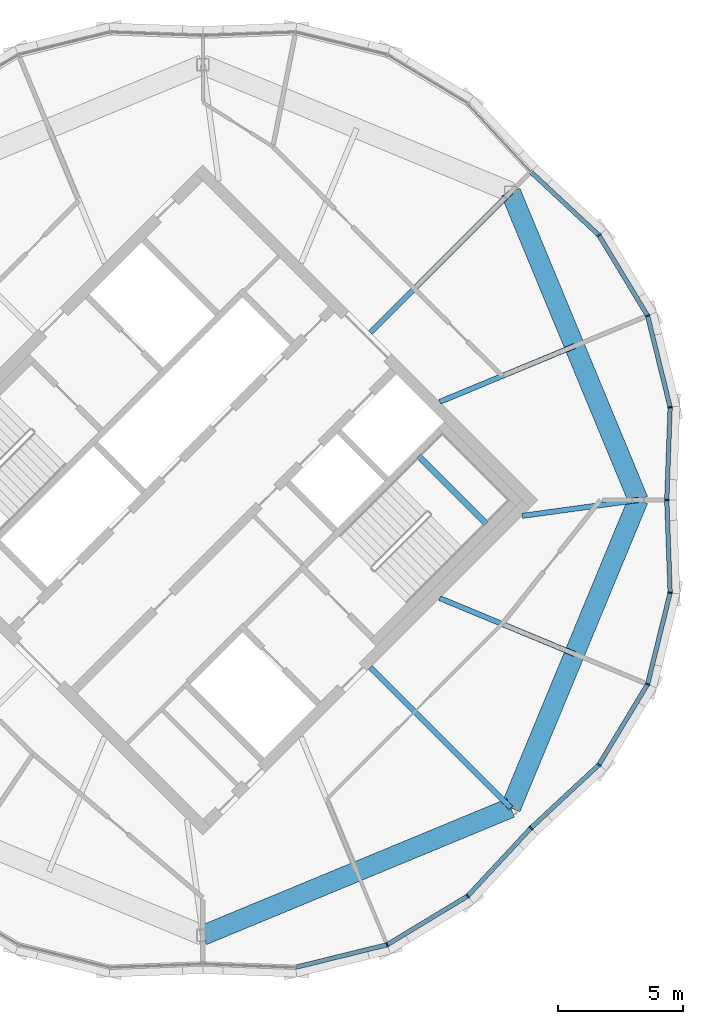
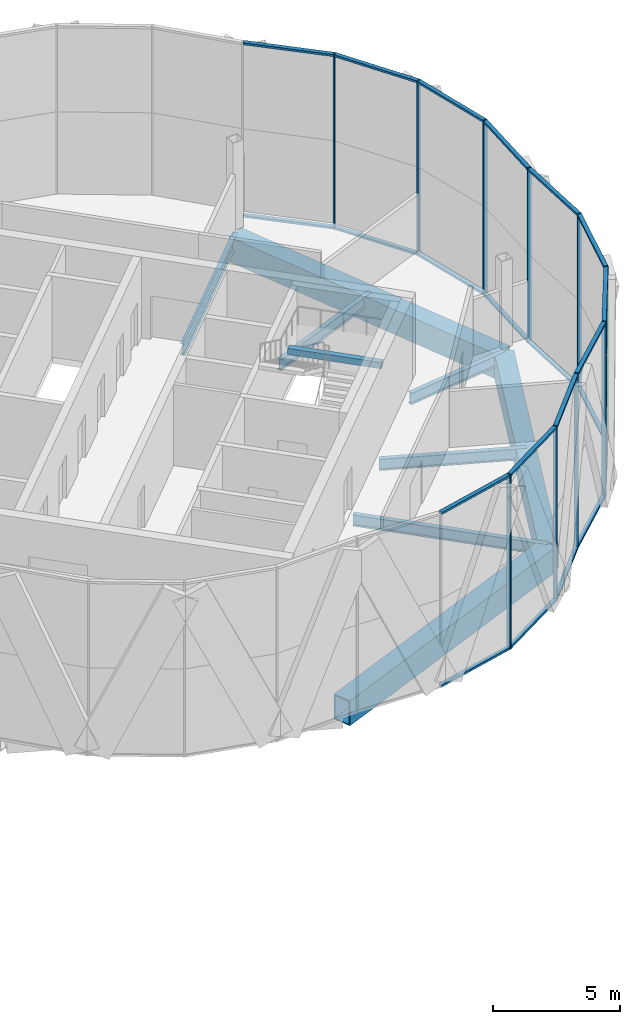
# One storey, part 11 of 24: 32 members, 9 beams, 3 elements without a shape of their own.
"""IFC4 building model written with IfcOpenShell, lengths in metres."""

from ifc_helpers import new_model, si_unit, direction, frame, origin, origin_2d, place, context, subcontext, project, spatial, rectangle, hollow_rectangle, i_section, extrude, material, material_profile, profile_set, type_object, element, aggregate, save


model = new_model("IFC4")

# Units and contexts
model_context = context("Model", 3, precision=1e-05, world=origin(), true_north=direction((0.0, 1.0)))
body_context = subcontext(model_context, "Body", "Model", "MODEL_VIEW")
ifc_project = project(units=[si_unit("LENGTHUNIT", "METRE"), si_unit("AREAUNIT", "SQUARE_METRE"), si_unit("VOLUMEUNIT", "CUBIC_METRE"), si_unit("PLANEANGLEUNIT", "RADIAN"), si_unit("MASSUNIT", "GRAM", prefix="KILO")], contexts=[model_context])

# Site, building, storey
site_placement = place(None, origin())
site = spatial("IfcSite", under=ifc_project, at=site_placement, CompositionType="ELEMENT")
building_placement = place(site_placement, origin())
building = spatial("IfcBuilding", under=site, at=building_placement, Name="Ogive Gate Towers", CompositionType="ELEMENT")
storey_placement = place(building_placement, frame((0.0, 0.0, 277.199951171875)))
storey = spatial("IfcBuildingStorey", under=building, at=storey_placement, Name="L65", CompositionType="ELEMENT", Elevation=277.199951171875)

# Beams
ifc_material_1 = material(Name="Steel SM460", Category="steel")
ifc_material_profile_1 = material_profile(ifc_material_1, hollow_rectangle(XDim=0.800048828125, YDim=1.199951171875, WallThickness=0.050048828125, at=origin_2d()), Name="BX 1200x800x50")
ifc_profile_set_1 = profile_set([ifc_material_profile_1], Name="Steel SM460")
beam_type_1 = type_object("IfcBeamType", Name="Edge girder BX 1200x800x50", PredefinedType="BEAM", material=ifc_profile_set_1)
for number, where, z_axis, x_axis, name in (
    (1, (36.0, -17.455078125, -0.89990234375), (0.923876732551, 0.382690191996, 0.0), (-0.382690191996, 0.923876732551, 0.0), "T2/L65/SBM018"),
    (2, (48.342529296875, -12.342529296875, -0.89990234375), (0.382690191996, 0.923876732551, 0.0), (-0.923876732551, 0.382690191996, 0.0), "T2/L65/SBM019"),
    (3, (53.455078125, 0.0, -0.89990234375), (-0.382690191996, 0.923876732551, 0.0), (-0.923876732551, -0.382690191996, 0.0), "T2/L65/SBM020"),
):
    element("IfcBeam", number, at=place(storey_placement, frame(where, z_axis=z_axis, x_axis=x_axis)), inside=storey, type_object=beam_type_1, Name=name, PredefinedType="BEAM", context=body_context, shape_type="SweptSolid", body=[
        extrude(hollow_rectangle(XDim=0.800048828125, YDim=1.199951171875, WallThickness=0.050048828125, at=origin_2d()), origin(), (0.0, 0.0, 1.0), 13.359619140625),
    ])
ifc_material_2 = material(Name="Concrete C40/50", Category="concrete")
ifc_material_profile_2 = material_profile(ifc_material_2, rectangle(XDim=0.25, YDim=0.300048828125, at=origin_2d()), Name="RC 250x300")
ifc_profile_set_2 = profile_set([ifc_material_profile_2], Name="Concrete C40/50")
beam_type_2 = type_object("IfcBeamType", Name="Landing bearer RC 250x300", PredefinedType="BEAM", material=ifc_profile_set_2)
beam_1_placement = place(storey_placement, frame((47.35888671875, -0.94482421875, 1.75), z_axis=(-0.707138693938, 0.707074866995, 0.0), x_axis=(-0.707074866995, -0.707138693938, 0.0)))
element("IfcBeam", 4, at=beam_1_placement, inside=storey, type_object=beam_type_2, Name="T2 L65 stair 2 landing bearer 1", PredefinedType="BEAM", context=body_context, shape_type="SweptSolid", body=[
    extrude(rectangle(XDim=0.25, YDim=0.300048828125, at=origin_2d()), origin(), (0.0, 0.0, 1.0), 3.824951171875),
])
ifc_material_3 = material(Name="Steel SM355", Category="steel")
ifc_material_profile_3 = material_profile(ifc_material_3, i_section(OverallWidth=0.2099609375, OverallDepth=0.550048828125, WebThickness=0.010986328125, FlangeThickness=0.01708984375, FilletRadius=0.02392578125, at=origin_2d()), Name="IPE 550")
ifc_profile_set_3 = profile_set([ifc_material_profile_3], Name="Steel SM355")
beam_type_3 = type_object("IfcBeamType", Name="Radial floor beam IPE 550", PredefinedType="BEAM", material=ifc_profile_set_3)
beam_2_placement = place(storey_placement, frame((42.717529296875, -6.717529296875, -0.574951171875), z_axis=(0.707106781187, -0.707106781187, 0.0), x_axis=(0.707106781187, 0.707106781187, 0.0)))
element("IfcBeam", 5, at=beam_2_placement, inside=storey, type_object=beam_type_3, Name="T2/L65/SBM005", PredefinedType="BEAM", context=body_context, shape_type="SweptSolid", body=[
    extrude(i_section(OverallWidth=0.2099609375, OverallDepth=0.550048828125, WebThickness=0.010986328125, FlangeThickness=0.01708984375, FilletRadius=0.02392578125, at=origin_2d()), origin(), (0.0, 0.0, 1.0), 7.954833984375),
])
beam_3_placement = place(storey_placement, frame((45.5, -3.93505859375, -0.574951171875), z_axis=(0.923872213225, -0.382701102209, 0.0), x_axis=(0.382701102209, 0.923872213225, 0.0)))
element("IfcBeam", 6, at=beam_3_placement, inside=storey, type_object=beam_type_3, Name="T2/L65/SBM006", PredefinedType="BEAM", context=body_context, shape_type="SweptSolid", body=[
    extrude(i_section(OverallWidth=0.2099609375, OverallDepth=0.550048828125, WebThickness=0.010986328125, FlangeThickness=0.01708984375, FilletRadius=0.02392578125, at=origin_2d()), origin(), (0.0, 0.0, 1.0), 5.843505859375),
])
beam_4_placement = place(storey_placement, frame((48.798583984375, -0.636474609375, -0.574951171875), z_axis=(0.99078744401, 0.135426145155, 0.0), x_axis=(-0.135426145155, 0.99078744401, 0.0)))
element("IfcBeam", 7, at=beam_4_placement, inside=storey, type_object=beam_type_3, Name="T2/L65/SBM007", PredefinedType="BEAM", context=body_context, shape_type="SweptSolid", body=[
    extrude(i_section(OverallWidth=0.2099609375, OverallDepth=0.550048828125, WebThickness=0.010986328125, FlangeThickness=0.01708984375, FilletRadius=0.02392578125, at=origin_2d()), origin(), (0.0, 0.0, 1.0), 4.69970703125),
])
beam_5_placement = place(storey_placement, frame((45.5, 3.93505859375, -0.574951171875), z_axis=(0.923872213225, 0.382701102209, 0.0), x_axis=(-0.382701102209, 0.923872213225, 0.0)))
element("IfcBeam", 8, at=beam_5_placement, inside=storey, type_object=beam_type_3, Name="T2/L65/SBM008", PredefinedType="BEAM", context=body_context, shape_type="SweptSolid", body=[
    extrude(i_section(OverallWidth=0.2099609375, OverallDepth=0.550048828125, WebThickness=0.010986328125, FlangeThickness=0.01708984375, FilletRadius=0.02392578125, at=origin_2d()), origin(), (0.0, 0.0, 1.0), 5.843505859375),
])
beam_6_placement = place(storey_placement, frame((42.717529296875, 6.717529296875, -0.574951171875), z_axis=(0.707106781187, 0.707106781187, 0.0), x_axis=(-0.707106781187, 0.707106781187, 0.0)))
element("IfcBeam", 9, at=beam_6_placement, inside=storey, type_object=beam_type_3, Name="T2/L65/SBM009", PredefinedType="BEAM", context=body_context, shape_type="SweptSolid", body=[
    extrude(i_section(OverallWidth=0.2099609375, OverallDepth=0.550048828125, WebThickness=0.010986328125, FlangeThickness=0.01708984375, FilletRadius=0.02392578125, at=origin_2d()), origin(), (0.0, 0.0, 1.0), 7.954833984375),
])

# Curtain wall, members
ifc_material_4 = material(Name="Pale metal aluminium", Category="aluminium")
curtain_wall_type = type_object("IfcCurtainWallType", Name="Tower unitised wall, high zone", PredefinedType="NOTDEFINED", material=ifc_material_4)
curtain_wall_1_placement = place(storey_placement, origin())
curtain_wall_1 = element("IfcCurtainWall", 10, at=curtain_wall_1_placement, inside=storey, type_object=curtain_wall_type, Name="CW2 T2 ECW01", PredefinedType="NOTDEFINED")
ifc_material_profile_4 = material_profile(ifc_material_4, rectangle(XDim=0.179931640625, YDim=0.06005859375, at=origin_2d()), Name="60 x 180 aluminium box")
ifc_profile_set_4 = profile_set([ifc_material_profile_4], Name="Pale metal aluminium")
member_type_1 = type_object("IfcMemberType", Name="Tower unitised wall, high zone mullion 60 x 180", PredefinedType="MULLION", material=ifc_profile_set_4)
member_1_placement = place(storey_placement, frame((54.60009765625, 0.00048828125, -0.300048828125), z_axis=(0.0, 0.0, 1.0), x_axis=(0.999341123963, -0.036294875066, 0.0)))
member_1 = element("IfcMember", 11, at=member_1_placement, type_object=member_type_1, Name="CW2 mullion", PredefinedType="MULLION", context=body_context, shape_type="SweptSolid", body=[
    extrude(rectangle(XDim=0.179931640625, YDim=0.06005859375, at=origin_2d()), origin(), (0.0, 0.0, 1.0), 8.400146484375),
])
member_2_placement = place(storey_placement, frame((54.7353515625, 3.718017578125, -0.300048828125), z_axis=(0.0, 0.0, 1.0), x_axis=(0.99474400054, 0.102393229213, 0.0)))
member_2 = element("IfcMember", 12, at=member_2_placement, type_object=member_type_1, Name="CW2 mullion", PredefinedType="MULLION", context=body_context, shape_type="SweptSolid", body=[
    extrude(rectangle(XDim=0.179931640625, YDim=0.06005859375, at=origin_2d()), origin(), (0.0, 0.0, 1.0), 8.400146484375),
])
member_3_placement = place(storey_placement, frame((53.83203125, 7.38623046875, -0.300048828125), z_axis=(0.0, 0.0, 1.0), x_axis=(0.923879532511, 0.382683432365, 0.0)))
member_3 = element("IfcMember", 13, at=member_3_placement, type_object=member_type_1, Name="CW2 mullion", PredefinedType="MULLION", context=body_context, shape_type="SweptSolid", body=[
    extrude(rectangle(XDim=0.179931640625, YDim=0.06005859375, at=origin_2d()), origin(), (0.0, 0.0, 1.0), 8.400146484375),
])
member_4_placement = place(storey_placement, frame((51.876708984375, 10.618896484375, -0.300048828125), z_axis=(0.0, 0.0, 1.0), x_axis=(0.775782162127, 0.631000821652, 0.0)))
member_4 = element("IfcMember", 14, at=member_4_placement, type_object=member_type_1, Name="CW2 mullion", PredefinedType="MULLION", context=body_context, shape_type="SweptSolid", body=[
    extrude(rectangle(XDim=0.179931640625, YDim=0.06005859375, at=origin_2d()), origin(), (0.0, 0.0, 1.0), 8.400146484375),
])

curtain_wall_2_placement = place(storey_placement, origin())
curtain_wall_2 = element("IfcCurtainWall", 15, at=curtain_wall_2_placement, inside=storey, type_object=curtain_wall_type, Name="CW2 T2 ECW07", PredefinedType="NOTDEFINED")
member_5_placement = place(storey_placement, frame((43.38623046875, -17.83203125, -0.300048828125), z_axis=(0.0, 0.0, 1.0), x_axis=(0.382683432365, -0.923879532511, 0.0)))
member_5 = element("IfcMember", 16, at=member_5_placement, type_object=member_type_1, Name="CW2 mullion", PredefinedType="MULLION", context=body_context, shape_type="SweptSolid", body=[
    extrude(rectangle(XDim=0.179931640625, YDim=0.06005859375, at=origin_2d()), origin(), (0.0, 0.0, 1.0), 8.400146484375),
])
member_6_placement = place(storey_placement, frame((46.618896484375, -15.876708984375, -0.300048828125), z_axis=(0.0, 0.0, 1.0), x_axis=(0.631000821652, -0.775782162127, 0.0)))
member_6 = element("IfcMember", 17, at=member_6_placement, type_object=member_type_1, Name="CW2 mullion", PredefinedType="MULLION", context=body_context, shape_type="SweptSolid", body=[
    extrude(rectangle(XDim=0.179931640625, YDim=0.06005859375, at=origin_2d()), origin(), (0.0, 0.0, 1.0), 8.400146484375),
])
member_7_placement = place(storey_placement, frame((49.152099609375, -13.152587890625, -0.300048828125), z_axis=(0.0, 0.0, 1.0), x_axis=(0.732317122925, -0.680963751951, 0.0)))
member_7 = element("IfcMember", 18, at=member_7_placement, type_object=member_type_1, Name="CW2 mullion", PredefinedType="MULLION", context=body_context, shape_type="SweptSolid", body=[
    extrude(rectangle(XDim=0.179931640625, YDim=0.06005859375, at=origin_2d()), origin(), (0.0, 0.0, 1.0), 8.400146484375),
])

curtain_wall_3_placement = place(storey_placement, origin())
curtain_wall_3 = element("IfcCurtainWall", 19, at=curtain_wall_3_placement, inside=storey, type_object=curtain_wall_type, Name="CW2 T2 ECW08", PredefinedType="NOTDEFINED")
member_8_placement = place(storey_placement, frame((51.876708984375, -10.618896484375, -0.300048828125), z_axis=(0.0, 0.0, 1.0), x_axis=(0.775782162127, -0.631000821652, 0.0)))
member_8 = element("IfcMember", 20, at=member_8_placement, type_object=member_type_1, Name="CW2 mullion", PredefinedType="MULLION", context=body_context, shape_type="SweptSolid", body=[
    extrude(rectangle(XDim=0.179931640625, YDim=0.06005859375, at=origin_2d()), origin(), (0.0, 0.0, 1.0), 8.400146484375),
])
member_9_placement = place(storey_placement, frame((53.83203125, -7.38623046875, -0.300048828125), z_axis=(0.0, 0.0, 1.0), x_axis=(0.923879532511, -0.382683432365, 0.0)))
member_9 = element("IfcMember", 21, at=member_9_placement, type_object=member_type_1, Name="CW2 mullion", PredefinedType="MULLION", context=body_context, shape_type="SweptSolid", body=[
    extrude(rectangle(XDim=0.179931640625, YDim=0.06005859375, at=origin_2d()), origin(), (0.0, 0.0, 1.0), 8.400146484375),
])
member_10_placement = place(storey_placement, frame((54.7353515625, -3.718017578125, -0.300048828125), z_axis=(0.0, 0.0, 1.0), x_axis=(0.99474400054, -0.102393229213, 0.0)))
member_10 = element("IfcMember", 22, at=member_10_placement, type_object=member_type_1, Name="CW2 mullion", PredefinedType="MULLION", context=body_context, shape_type="SweptSolid", body=[
    extrude(rectangle(XDim=0.179931640625, YDim=0.06005859375, at=origin_2d()), origin(), (0.0, 0.0, 1.0), 8.400146484375),
])

# Member
ifc_material_profile_5 = material_profile(ifc_material_4, rectangle(XDim=0.179931640625, YDim=0.10009765625, at=origin_2d()), Name="100 x 180 aluminium box")
ifc_profile_set_5 = profile_set([ifc_material_profile_5], Name="Pale metal aluminium")
member_type_2 = type_object("IfcMemberType", Name="Tower unitised wall, high zone transom 100 x 180", PredefinedType="USERDEFINED", material=ifc_profile_set_5)
member_11_placement = place(storey_placement, frame((54.601318359375, 0.0302734375, 8.050048828125), z_axis=(0.036271819243, 0.999341961057, 0.0), x_axis=(-0.999341961057, 0.036271819243, 0.0)))
member_11 = element("IfcMember", 23, at=member_11_placement, type_object=member_type_2, Name="CW2 transom", ObjectType="TRANSOM", PredefinedType="USERDEFINED", context=body_context, shape_type="SweptSolid", body=[
    extrude(rectangle(XDim=0.179931640625, YDim=0.10009765625, at=origin_2d()), origin(), (0.0, 0.0, 1.0), 3.66162109375),
])

member_12_placement = place(storey_placement, frame((54.601318359375, 0.0302734375, -0.25), z_axis=(0.036271819243, 0.999341961057, 0.0), x_axis=(-0.999341961057, 0.036271819243, 0.0)))
member_12 = element("IfcMember", 24, at=member_12_placement, type_object=member_type_2, Name="CW2 transom", ObjectType="TRANSOM", PredefinedType="USERDEFINED", context=body_context, shape_type="SweptSolid", body=[
    extrude(rectangle(XDim=0.179931640625, YDim=0.10009765625, at=origin_2d()), origin(), (0.0, 0.0, 1.0), 3.66162109375),
])

member_13_placement = place(storey_placement, frame((54.728271484375, 3.74560546875, 8.050048828125), z_axis=(-0.239091379639, 0.97099707115, 0.0), x_axis=(-0.97099707115, -0.239091379639, 0.0)))
member_13 = element("IfcMember", 25, at=member_13_placement, type_object=member_type_2, Name="CW2 transom", ObjectType="TRANSOM", PredefinedType="USERDEFINED", context=body_context, shape_type="SweptSolid", body=[
    extrude(rectangle(XDim=0.179931640625, YDim=0.10009765625, at=origin_2d()), origin(), (0.0, 0.0, 1.0), 3.720947265625),
])

member_14_placement = place(storey_placement, frame((54.728271484375, 3.74560546875, -0.25), z_axis=(-0.239091379639, 0.97099707115, 0.0), x_axis=(-0.97099707115, -0.239091379639, 0.0)))
member_14 = element("IfcMember", 26, at=member_14_placement, type_object=member_type_2, Name="CW2 transom", ObjectType="TRANSOM", PredefinedType="USERDEFINED", context=body_context, shape_type="SweptSolid", body=[
    extrude(rectangle(XDim=0.179931640625, YDim=0.10009765625, at=origin_2d()), origin(), (0.0, 0.0, 1.0), 3.720947265625),
])

member_15_placement = place(storey_placement, frame((53.817138671875, 7.41064453125, 8.050048828125), z_axis=(-0.51753219803, 0.855663733018, 0.0), x_axis=(-0.855663733018, -0.51753219803, 0.0)))
member_15 = element("IfcMember", 27, at=member_15_placement, type_object=member_type_2, Name="CW2 transom", ObjectType="TRANSOM", PredefinedType="USERDEFINED", context=body_context, shape_type="SweptSolid", body=[
    extrude(rectangle(XDim=0.179931640625, YDim=0.10009765625, at=origin_2d()), origin(), (0.0, 0.0, 1.0), 3.720703125),
])

member_16_placement = place(storey_placement, frame((53.817138671875, 7.41064453125, -0.25), z_axis=(-0.51753219803, 0.855663733018, 0.0), x_axis=(-0.855663733018, -0.51753219803, 0.0)))
member_16 = element("IfcMember", 28, at=member_16_placement, type_object=member_type_2, Name="CW2 transom", ObjectType="TRANSOM", PredefinedType="USERDEFINED", context=body_context, shape_type="SweptSolid", body=[
    extrude(rectangle(XDim=0.179931640625, YDim=0.10009765625, at=origin_2d()), origin(), (0.0, 0.0, 1.0), 3.720703125),
])

member_17_placement = place(storey_placement, frame((51.855712890625, 10.63818359375, 8.050048828125), z_axis=(-0.732280303721, 0.681003345647, 0.0), x_axis=(-0.681003345647, -0.732280303721, 0.0)))
member_17 = element("IfcMember", 29, at=member_17_placement, type_object=member_type_2, Name="CW2 transom", ObjectType="TRANSOM", PredefinedType="USERDEFINED", context=body_context, shape_type="SweptSolid", body=[
    extrude(rectangle(XDim=0.179931640625, YDim=0.10009765625, at=origin_2d()), origin(), (0.0, 0.0, 1.0), 3.661376953125),
])

member_18_placement = place(storey_placement, frame((51.855712890625, 10.63818359375, -0.25), z_axis=(-0.732280303721, 0.681003345647, 0.0), x_axis=(-0.681003345647, -0.732280303721, 0.0)))
member_18 = element("IfcMember", 30, at=member_18_placement, type_object=member_type_2, Name="CW2 transom", ObjectType="TRANSOM", PredefinedType="USERDEFINED", context=body_context, shape_type="SweptSolid", body=[
    extrude(rectangle(XDim=0.179931640625, YDim=0.10009765625, at=origin_2d()), origin(), (0.0, 0.0, 1.0), 3.661376953125),
])

aggregate(curtain_wall_1, [member_1, member_2, member_11, member_12, member_3, member_13, member_14, member_4, member_15, member_16, member_17, member_18])

member_19_placement = place(storey_placement, frame((39.74560546875, -18.728271484375, 8.050048828125), z_axis=(0.97099707115, 0.239091379639, 0.0), x_axis=(-0.239091379639, 0.97099707115, 0.0)))
member_19 = element("IfcMember", 31, at=member_19_placement, type_object=member_type_2, Name="CW2 transom", ObjectType="TRANSOM", PredefinedType="USERDEFINED", context=body_context, shape_type="SweptSolid", body=[
    extrude(rectangle(XDim=0.179931640625, YDim=0.10009765625, at=origin_2d()), origin(), (0.0, 0.0, 1.0), 3.720947265625),
])

member_20_placement = place(storey_placement, frame((39.74560546875, -18.728271484375, -0.25), z_axis=(0.97099707115, 0.239091379639, 0.0), x_axis=(-0.239091379639, 0.97099707115, 0.0)))
member_20 = element("IfcMember", 32, at=member_20_placement, type_object=member_type_2, Name="CW2 transom", ObjectType="TRANSOM", PredefinedType="USERDEFINED", context=body_context, shape_type="SweptSolid", body=[
    extrude(rectangle(XDim=0.179931640625, YDim=0.10009765625, at=origin_2d()), origin(), (0.0, 0.0, 1.0), 3.720947265625),
])

member_21_placement = place(storey_placement, frame((43.41064453125, -17.817138671875, 8.050048828125), z_axis=(0.855663733018, 0.51753219803, 0.0), x_axis=(-0.51753219803, 0.855663733018, 0.0)))
member_21 = element("IfcMember", 33, at=member_21_placement, type_object=member_type_2, Name="CW2 transom", ObjectType="TRANSOM", PredefinedType="USERDEFINED", context=body_context, shape_type="SweptSolid", body=[
    extrude(rectangle(XDim=0.179931640625, YDim=0.10009765625, at=origin_2d()), origin(), (0.0, 0.0, 1.0), 3.720703125),
])

member_22_placement = place(storey_placement, frame((43.41064453125, -17.817138671875, -0.25), z_axis=(0.855663733018, 0.51753219803, 0.0), x_axis=(-0.51753219803, 0.855663733018, 0.0)))
member_22 = element("IfcMember", 34, at=member_22_placement, type_object=member_type_2, Name="CW2 transom", ObjectType="TRANSOM", PredefinedType="USERDEFINED", context=body_context, shape_type="SweptSolid", body=[
    extrude(rectangle(XDim=0.179931640625, YDim=0.10009765625, at=origin_2d()), origin(), (0.0, 0.0, 1.0), 3.720703125),
])

member_23_placement = place(storey_placement, frame((46.63818359375, -15.855712890625, 8.050048828125), z_axis=(0.681003345647, 0.732280303721, 0.0), x_axis=(-0.732280303721, 0.681003345647, 0.0)))
member_23 = element("IfcMember", 35, at=member_23_placement, type_object=member_type_2, Name="CW2 transom", ObjectType="TRANSOM", PredefinedType="USERDEFINED", context=body_context, shape_type="SweptSolid", body=[
    extrude(rectangle(XDim=0.179931640625, YDim=0.10009765625, at=origin_2d()), origin(), (0.0, 0.0, 1.0), 3.661376953125),
])

member_24_placement = place(storey_placement, frame((46.63818359375, -15.855712890625, -0.25), z_axis=(0.681003345647, 0.732280303721, 0.0), x_axis=(-0.732280303721, 0.681003345647, 0.0)))
member_24 = element("IfcMember", 36, at=member_24_placement, type_object=member_type_2, Name="CW2 transom", ObjectType="TRANSOM", PredefinedType="USERDEFINED", context=body_context, shape_type="SweptSolid", body=[
    extrude(rectangle(XDim=0.179931640625, YDim=0.10009765625, at=origin_2d()), origin(), (0.0, 0.0, 1.0), 3.661376953125),
])

aggregate(curtain_wall_2, [member_5, member_19, member_20, member_6, member_21, member_22, member_7, member_23, member_24])

member_25_placement = place(storey_placement, frame((49.174560546875, -13.131591796875, 8.050048828125), z_axis=(0.732280303721, 0.681003345647, 0.0), x_axis=(-0.681003345647, 0.732280303721, 0.0)))
member_25 = element("IfcMember", 37, at=member_25_placement, type_object=member_type_2, Name="CW2 transom", ObjectType="TRANSOM", PredefinedType="USERDEFINED", context=body_context, shape_type="SweptSolid", body=[
    extrude(rectangle(XDim=0.179931640625, YDim=0.10009765625, at=origin_2d()), origin(), (0.0, 0.0, 1.0), 3.661376953125),
])

member_26_placement = place(storey_placement, frame((49.174560546875, -13.131591796875, -0.25), z_axis=(0.732280303721, 0.681003345647, 0.0), x_axis=(-0.681003345647, 0.732280303721, 0.0)))
member_26 = element("IfcMember", 38, at=member_26_placement, type_object=member_type_2, Name="CW2 transom", ObjectType="TRANSOM", PredefinedType="USERDEFINED", context=body_context, shape_type="SweptSolid", body=[
    extrude(rectangle(XDim=0.179931640625, YDim=0.10009765625, at=origin_2d()), origin(), (0.0, 0.0, 1.0), 3.661376953125),
])

member_27_placement = place(storey_placement, frame((51.8916015625, -10.59423828125, 8.050048828125), z_axis=(0.51753219803, 0.855663733018, 0.0), x_axis=(-0.855663733018, 0.51753219803, 0.0)))
member_27 = element("IfcMember", 39, at=member_27_placement, type_object=member_type_2, Name="CW2 transom", ObjectType="TRANSOM", PredefinedType="USERDEFINED", context=body_context, shape_type="SweptSolid", body=[
    extrude(rectangle(XDim=0.179931640625, YDim=0.10009765625, at=origin_2d()), origin(), (0.0, 0.0, 1.0), 3.720703125),
])

member_28_placement = place(storey_placement, frame((51.8916015625, -10.59423828125, -0.25), z_axis=(0.51753219803, 0.855663733018, 0.0), x_axis=(-0.855663733018, 0.51753219803, 0.0)))
member_28 = element("IfcMember", 40, at=member_28_placement, type_object=member_type_2, Name="CW2 transom", ObjectType="TRANSOM", PredefinedType="USERDEFINED", context=body_context, shape_type="SweptSolid", body=[
    extrude(rectangle(XDim=0.179931640625, YDim=0.10009765625, at=origin_2d()), origin(), (0.0, 0.0, 1.0), 3.720703125),
])

member_29_placement = place(storey_placement, frame((53.838623046875, -7.358642578125, 8.050048828125), z_axis=(0.239091379639, 0.97099707115, 0.0), x_axis=(-0.97099707115, 0.239091379639, 0.0)))
member_29 = element("IfcMember", 41, at=member_29_placement, type_object=member_type_2, Name="CW2 transom", ObjectType="TRANSOM", PredefinedType="USERDEFINED", context=body_context, shape_type="SweptSolid", body=[
    extrude(rectangle(XDim=0.179931640625, YDim=0.10009765625, at=origin_2d()), origin(), (0.0, 0.0, 1.0), 3.720947265625),
])

member_30_placement = place(storey_placement, frame((53.838623046875, -7.358642578125, -0.25), z_axis=(0.239091379639, 0.97099707115, 0.0), x_axis=(-0.97099707115, 0.239091379639, 0.0)))
member_30 = element("IfcMember", 42, at=member_30_placement, type_object=member_type_2, Name="CW2 transom", ObjectType="TRANSOM", PredefinedType="USERDEFINED", context=body_context, shape_type="SweptSolid", body=[
    extrude(rectangle(XDim=0.179931640625, YDim=0.10009765625, at=origin_2d()), origin(), (0.0, 0.0, 1.0), 3.720947265625),
])

member_31_placement = place(storey_placement, frame((54.734130859375, -3.689453125, 8.050048828125), z_axis=(-0.036271819243, 0.999341961057, 0.0), x_axis=(-0.999341961057, -0.036271819243, 0.0)))
member_31 = element("IfcMember", 43, at=member_31_placement, type_object=member_type_2, Name="CW2 transom", ObjectType="TRANSOM", PredefinedType="USERDEFINED", context=body_context, shape_type="SweptSolid", body=[
    extrude(rectangle(XDim=0.179931640625, YDim=0.10009765625, at=origin_2d()), origin(), (0.0, 0.0, 1.0), 3.66162109375),
])

member_32_placement = place(storey_placement, frame((54.734130859375, -3.689453125, -0.25), z_axis=(-0.036271819243, 0.999341961057, 0.0), x_axis=(-0.999341961057, -0.036271819243, 0.0)))
member_32 = element("IfcMember", 44, at=member_32_placement, type_object=member_type_2, Name="CW2 transom", ObjectType="TRANSOM", PredefinedType="USERDEFINED", context=body_context, shape_type="SweptSolid", body=[
    extrude(rectangle(XDim=0.179931640625, YDim=0.10009765625, at=origin_2d()), origin(), (0.0, 0.0, 1.0), 3.66162109375),
])

aggregate(curtain_wall_3, [member_8, member_25, member_26, member_9, member_27, member_28, member_10, member_29, member_30, member_31, member_32])

save(model, "model.ifc")
